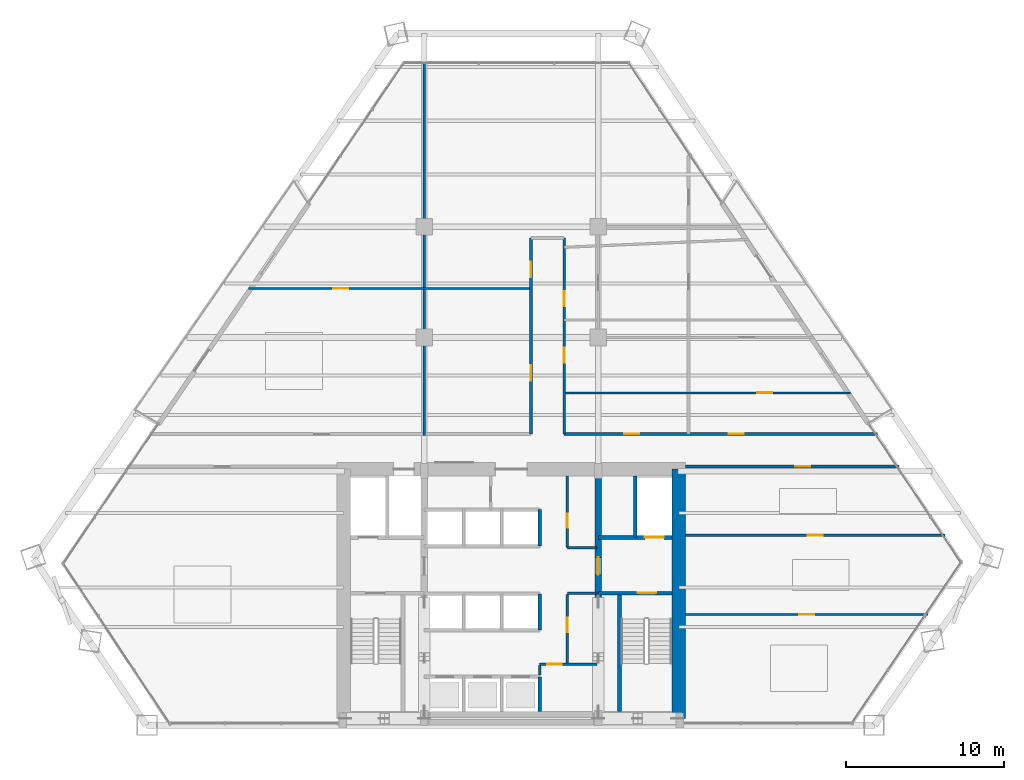
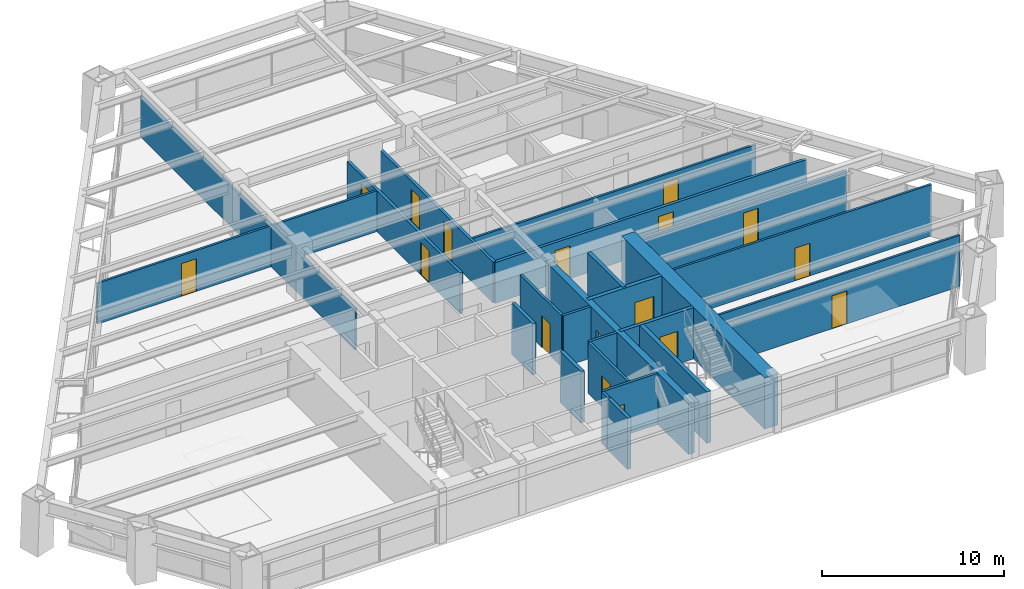
# One storey, part 11 of 15: 24 walls, 17 doors, 17 openings.
"""IFC4 building model written with IfcOpenShell, lengths in metres."""

import ifcopenshell
import ifcopenshell.guid

model = None  # the IFC model being written
_history = None  # IfcOwnerHistory: only IFC2X3 demands one
_inside = {}  # id of a spatial element -> (the spatial element, [elements in it])
_under = {}  # id of a project, library or spatial element -> (it, [spatial elements below it])
_declared = {}  # id of a project -> (the project, [libraries it declares])
_typed = {}  # id of a type object -> (the type object, [elements of that type])
_made_of = {}  # id of a material, layer set ... -> (it, [elements and type objects made of it])


def new_model(schema):
    """Start an empty IFC model of exactly this schema.

    Asked for "IFC4X3", IfcOpenShell would pick the latest addendum, in which some entities
    have other attributes; the version numbers below select the first issue.
    IFC2X3 requires an IfcOwnerHistory on every rooted entity: one is made here for all.
    """
    global model, _history
    if schema == "IFC4X3":
        model = ifcopenshell.file(schema_version=(4, 3, 0, 0))
    else:
        model = ifcopenshell.file(schema=schema)
    _inside.clear()
    _under.clear()
    _declared.clear()
    _typed.clear()
    _made_of.clear()
    _history = None
    if model.schema == "IFC2X3":
        org = make("IfcOrganization", Name="unknown")
        user = make(
            "IfcPersonAndOrganization",
            ThePerson=make("IfcPerson", FamilyName="unknown"),
            TheOrganization=org,
        )
        app = make(
            "IfcApplication",
            ApplicationDeveloper=org,
            Version="unknown",
            ApplicationFullName="unknown",
            ApplicationIdentifier="unknown",
        )
        _history = make(
            "IfcOwnerHistory",
            OwningUser=user,
            OwningApplication=app,
            ChangeAction="ADDED",
            CreationDate=0,
        )
    return model


def make(cls, **values):
    """One entity of the class cls with the attributes given. An attribute that is None is left unset."""
    return model.create_entity(
        cls, **{name: value for name, value in values.items() if value is not None}
    )


def rooted(cls, **values):
    """An entity with a GlobalId (a new one), such as an element, a storey or a relation."""
    return make(cls, GlobalId=ifcopenshell.guid.new(), OwnerHistory=_history, **values)


def si_unit(unit_type, name, prefix=None):
    """IfcSIUnit, for example si_unit("LENGTHUNIT", "METRE", prefix="MILLI")."""
    return make("IfcSIUnit", UnitType=unit_type, Prefix=prefix, Name=name)


def assignment(units):
    """IfcUnitAssignment: the units of a project."""
    return None if units is None else make("IfcUnitAssignment", Units=units)


def point(xyz):
    """IfcCartesianPoint."""
    return None if xyz is None else make("IfcCartesianPoint", Coordinates=xyz)


def direction(xyz):
    """IfcDirection."""
    return None if xyz is None else make("IfcDirection", DirectionRatios=xyz)


def frame(location, z_axis=None, x_axis=None):
    """IfcAxis2Placement3D, a coordinate frame: its origin and axes. An axis left out is left unset."""
    return make(
        "IfcAxis2Placement3D",
        Location=point(location),
        Axis=direction(z_axis),
        RefDirection=direction(x_axis),
    )


def frame_2d(location, x_axis=None):
    """IfcAxis2Placement2D, a coordinate frame in the plane: its origin and x axis."""
    return make(
        "IfcAxis2Placement2D", Location=point(location), RefDirection=direction(x_axis)
    )


def origin():
    """The frame at (0, 0, 0) with its axes left unset."""
    return frame((0.0, 0.0, 0.0))


def place(relative_to, where):
    """IfcLocalPlacement: puts the frame where relative to a parent placement (None: the world)."""
    return make(
        "IfcLocalPlacement", PlacementRelTo=relative_to, RelativePlacement=where
    )


def context(
    kind, dimensions, precision=None, world=None, true_north=None, identifier=None
):
    """IfcGeometricRepresentationContext, for example the 3D "Model" context."""
    return make(
        "IfcGeometricRepresentationContext",
        ContextIdentifier=identifier,
        ContextType=kind,
        CoordinateSpaceDimension=dimensions,
        Precision=precision,
        WorldCoordinateSystem=world,
        TrueNorth=true_north,
    )


def subcontext(parent, identifier, kind, view, scale=None):
    """IfcGeometricRepresentationSubContext, for example "Body" below "Model"."""
    return make(
        "IfcGeometricRepresentationSubContext",
        ContextIdentifier=identifier,
        ContextType=kind,
        ParentContext=parent,
        TargetScale=scale,
        TargetView=view,
    )


def project(units=None, contexts=None):
    """IfcProject with its units and contexts."""
    return rooted(
        "IfcProject",
        Name="project",
        RepresentationContexts=contexts,
        UnitsInContext=assignment(units),
    )


def spatial(cls, under=None, at=None, **own):
    """A site, building, storey or space (cls), placed at a placement, below another one or the project."""
    s = rooted(cls, ObjectPlacement=at, **own)
    if under is not None:
        _under.setdefault(under.id(), (under, []))[1].append(s)
    return s


def profile(cls, at=None, kind="AREA", **sizes):
    """A parametric profile (cls). Its sizes go by their IFC names, for example OverallWidth=200.0."""
    return make(cls, ProfileType=kind, Position=at, **sizes)


def rectangle(**sizes):
    """IfcRectangleProfileDef."""
    return profile("IfcRectangleProfileDef", **sizes)


def extrude(swept, where, along, depth):
    """IfcExtrudedAreaSolid: the profile swept, set in the frame where, extruded along a direction by depth."""
    return make(
        "IfcExtrudedAreaSolid",
        SweptArea=swept,
        Position=where,
        ExtrudedDirection=direction(along),
        Depth=depth,
    )


def shape(context_of_items, identifier, shape_type, items):
    """IfcShapeRepresentation: the items that make up one representation, for example the "Body"."""
    return make(
        "IfcShapeRepresentation",
        ContextOfItems=context_of_items,
        RepresentationIdentifier=identifier,
        RepresentationType=shape_type,
        Items=items,
    )


def source(mapping_origin, context_of_items, identifier, shape_type, items):
    """IfcRepresentationMap: a shape defined once, which mapped items show again and again."""
    return make(
        "IfcRepresentationMap",
        MappingOrigin=mapping_origin,
        MappedRepresentation=shape(context_of_items, identifier, shape_type, items),
    )


def transform(
    local_origin,
    x_axis=None,
    y_axis=None,
    z_axis=None,
    scale=None,
    scale2=None,
    scale3=None,
    uniform=True,
):
    """IfcCartesianTransformationOperator3D, or its non-uniform kind. x_axis, y_axis, z_axis: its Axis1, 2, 3."""
    if uniform:
        return make(
            "IfcCartesianTransformationOperator3D",
            Axis1=direction(x_axis),
            Axis2=direction(y_axis),
            LocalOrigin=point(local_origin),
            Scale=scale,
            Axis3=direction(z_axis),
        )
    return make(
        "IfcCartesianTransformationOperator3DnonUniform",
        Axis1=direction(x_axis),
        Axis2=direction(y_axis),
        LocalOrigin=point(local_origin),
        Scale=scale,
        Axis3=direction(z_axis),
        Scale2=scale2,
        Scale3=scale3,
    )


def mapped(mapping_source, mapping_target):
    """IfcMappedItem: shows the shape of a source again, moved by a transform."""
    return make(
        "IfcMappedItem", MappingSource=mapping_source, MappingTarget=mapping_target
    )


def material(Name=None, Category=None):
    """IfcMaterial."""
    return make("IfcMaterial", Name=Name, Category=Category)


def layer(
    of_material, thickness, ventilated=None, Name=None, Category=None, Priority=None
):
    """IfcMaterialLayer: one layer of a wall or slab, of a material (None: an air gap)."""
    return make(
        "IfcMaterialLayer",
        Material=of_material,
        LayerThickness=thickness,
        IsVentilated=ventilated,
        Name=Name,
        Category=Category,
        Priority=Priority,
    )


def layer_set(layers, Name=None):
    """IfcMaterialLayerSet."""
    return make("IfcMaterialLayerSet", MaterialLayers=layers, LayerSetName=Name)


def made_of(thing, what):
    """Note that an element or type object is made of a material, layer set ...; save() writes the relation."""
    if what is not None:
        _made_of.setdefault(what.id(), (what, []))[1].append(thing)
    return thing


def type_object(cls, material=None, **own):
    """A type object (cls), such as IfcWallType, which elements share."""
    return made_of(rooted(cls, **own), material)


def type_shapes(of_type, sources):
    """Give a type object the sources (RepresentationMaps) that its elements show as mapped items."""
    of_type.RepresentationMaps = sources


def element(
    cls,
    number,
    at=None,
    inside=None,
    cuts=None,
    type_object=None,
    material=None,
    context=None,
    identifier="Body",
    shape_type=None,
    held_by="IfcProductDefinitionShape",
    body=None,
    shapes=None,
    **own,
):
    """One element of the class cls, such as IfcWall. Its Tag is "e" and its number.

    at: its placement. inside: the storey or other place that contains it. cuts: it is an
    opening in that element (IfcRelVoidsElement). A single representation is given by context,
    identifier, shape_type and body (its items); several are given by shapes. held_by: the class
    of the entity that holds the representations. save() writes the other relations.
    """
    e = rooted(cls, Tag="e%d" % number, ObjectPlacement=at, **own)
    if body is not None:
        shapes = [shape(context, identifier, shape_type, body)]
    if shapes is not None:
        e.Representation = make(held_by, Representations=shapes)
    if inside is not None:
        _inside.setdefault(inside.id(), (inside, []))[1].append(e)
    if cuts is not None:
        rooted(
            "IfcRelVoidsElement", RelatingBuildingElement=cuts, RelatedOpeningElement=e
        )
    if type_object is not None:
        _typed.setdefault(type_object.id(), (type_object, []))[1].append(e)
    return made_of(e, material)


def fill(opening, filler):
    """IfcRelFillsElement: the door or window that sits in an opening."""
    return rooted(
        "IfcRelFillsElement",
        RelatingOpeningElement=opening,
        RelatedBuildingElement=filler,
    )


def aggregate(whole, parts):
    """IfcRelAggregates: a whole, such as a stair, and the parts it consists of."""
    return rooted("IfcRelAggregates", RelatingObject=whole, RelatedObjects=parts)


def save(model, path):
    """Write the relations noted so far, then the file.

    IfcRelAggregates (storeys below a building ...), IfcRelContainedInSpatialStructure (elements
    in a storey), IfcRelDefinesByType, IfcRelAssociatesMaterial and IfcRelDeclares: one each for
    every whole, place, type object, material and project.
    """
    for whole, parts in _under.values():
        aggregate(whole, parts)
    for where, things in _inside.values():
        rooted(
            "IfcRelContainedInSpatialStructure",
            RelatedElements=things,
            RelatingStructure=where,
        )
    for kind, things in _typed.values():
        rooted("IfcRelDefinesByType", RelatedObjects=things, RelatingType=kind)
    for what, things in _made_of.values():
        rooted("IfcRelAssociatesMaterial", RelatedObjects=things, RelatingMaterial=what)
    for by, libraries in _declared.values():
        rooted("IfcRelDeclares", RelatingContext=by, RelatedDefinitions=libraries)
    model.write(path)


model = new_model("IFC4")

# Units and contexts
model_context = context("Model", 3, precision=1e-05, world=origin(), true_north=direction((0.0, 1.0)))
body_context = subcontext(model_context, "Body", "Model", "MODEL_VIEW")
ifc_project = project(units=[si_unit("LENGTHUNIT", "METRE"), si_unit("AREAUNIT", "SQUARE_METRE"), si_unit("VOLUMEUNIT", "CUBIC_METRE"), si_unit("PLANEANGLEUNIT", "RADIAN"), si_unit("MASSUNIT", "GRAM", prefix="KILO")], contexts=[model_context])

# Site, building, storey
site_placement = place(None, origin())
site = spatial("IfcSite", under=ifc_project, at=site_placement, CompositionType="ELEMENT")
building_placement = place(site_placement, origin())
building = spatial("IfcBuilding", under=site, at=building_placement, Name="Varnakhor Terracotta Tower", CompositionType="ELEMENT")
storey_placement = place(building_placement, frame((0.0, 0.0, 57.10009765625)))
storey = spatial("IfcBuildingStorey", under=building, at=storey_placement, Name="L13", CompositionType="ELEMENT", Elevation=57.10009765625)

# Wall
ifc_material_1 = material(Name="Concrete C60/75", Category="concrete")
ifc_layer_1 = layer(ifc_material_1, 0.85009765625, Name="Concrete C60/75")
ifc_layer_set_1 = layer_set([ifc_layer_1], Name="Concrete C60/75")
wall_type_1 = type_object("IfcWallType", Name="WAL-CORE-850", PredefinedType="SHEAR", material=ifc_layer_set_1)
wall_1_placement = place(storey_placement, frame((10.574951171875, 0.425048828125, 0.0), z_axis=(0.0, 0.0, 1.0), x_axis=(0.0, 1.0, 0.0)))
element("IfcWall", 1, at=wall_1_placement, inside=storey, type_object=wall_type_1, Name="L13 East Core Shear Wall", PredefinedType="SHEAR", context=body_context, shape_type="SweptSolid", body=[
    extrude(rectangle(XDim=15.75, YDim=0.85009765625, at=frame_2d((7.875, 0.0))), origin(), (0.0, 0.0, 1.0), 3.449951171875),
])

# Wall, opening, door
ifc_material_2 = material(Name="Concrete C50/60", Category="concrete")
ifc_layer_2 = layer(ifc_material_2, 0.39990234375, Name="Concrete C50/60")
ifc_layer_set_2 = layer_set([ifc_layer_2], Name="Concrete C50/60")
wall_type_2 = type_object("IfcWallType", Name="WAL-CORE-WEB-400", PredefinedType="SHEAR", material=ifc_layer_set_2)
wall_2_placement = place(storey_placement, frame((5.5, 0.425048828125, 0.0), z_axis=(0.0, 0.0, 1.0), x_axis=(0.0, 1.0, 0.0)))
wall_2 = element("IfcWall", 2, at=wall_2_placement, inside=storey, type_object=wall_type_2, Name="L13 East Core Web Shear Wall", PredefinedType="SHEAR", context=body_context, shape_type="SweptSolid", body=[
    extrude(rectangle(XDim=15.75, YDim=0.39990234375, at=frame_2d((7.875, 0.0))), origin(), (0.0, 0.0, 1.0), 3.449951171875),
])
opening_1_placement = place(wall_2_placement, frame((9.074951171875, 0.0, 0.0)))
opening_1 = element("IfcOpeningElement", 3, at=opening_1_placement, cuts=wall_2, Name="Opening DR-25", PredefinedType="OPENING", context=body_context, shape_type="SweptSolid", body=[
    extrude(rectangle(XDim=1.10009765625, YDim=2.199951171875, at=frame_2d((0.550048828125, 1.10009765625))), frame((0.0, 0.2099609375, 0.0), z_axis=(0.0, -1.0, 0.0), x_axis=(1.0, 0.0, 0.0)), (0.0, 0.0, 1.0), 0.419921875),
])
ifc_material_3 = material(Name="Firefighting Lobby Self-Closing Fire Door", Category="steel")
door_type_1 = type_object("IfcDoorType", Name="DR-FFL-1100X2200", OperationType="NOTDEFINED", PredefinedType="DOOR", material=ifc_material_3)
shared_shape_1 = source(origin(), body_context, "Body", "SweptSolid", [
    extrude(rectangle(XDim=1.10009765625, YDim=2.199951171875, at=frame_2d((0.550048828125, 1.10009765625))), frame((0.0, 0.02490234375, 0.0), z_axis=(0.0, -1.0, 0.0), x_axis=(1.0, 0.0, 0.0)), (0.0, 0.0, 1.0), 0.050048828125),
])
type_shapes(door_type_1, [shared_shape_1])
door_1_placement = place(opening_1_placement, origin())
door_1 = element("IfcDoor", 4, at=door_1_placement, inside=storey, type_object=door_type_1, Name="L13 East Firefighting Lobby Door", OperationType="SINGLE_SWING_LEFT", OverallHeight=2.199951171875, OverallWidth=1.10009765625, PredefinedType="DOOR", context=body_context, shape_type="MappedRepresentation", body=[
    mapped(shared_shape_1, transform((0.0, 0.0, 0.0), scale=1.0)),
])
fill(opening_1, door_1)

ifc_material_4 = material(Name="Fire-Rated Gypsum Stud Partition", Category="gypsum")
ifc_layer_3 = layer(ifc_material_4, 0.18505859375, Name="Fire-Rated Gypsum Stud Partition")
ifc_layer_set_3 = layer_set([ifc_layer_3], Name="Fire-Rated Gypsum Stud Partition")
wall_type_3 = type_object("IfcWallType", Name="WAL-CORR-185", PredefinedType="PARTITIONING", material=ifc_layer_set_3)
wall_3_placement = place(storey_placement, frame((11.02001953125, 16.35009765625, 0.0), z_axis=(0.0, 0.0, 1.0), x_axis=(1.0, 0.0, 0.0)))
wall_3 = element("IfcWall", 5, at=wall_3_placement, inside=storey, type_object=wall_type_3, Name="L13 South East Corridor Wall", PredefinedType="PARTITIONING", context=body_context, shape_type="SweptSolid", body=[
    extrude(rectangle(XDim=13.50244140625, YDim=0.18505859375, at=frame_2d((6.751220703125, 0.0))), origin(), (0.0, 0.0, 1.0), 2.746826171875),
])
opening_2_placement = place(wall_3_placement, frame((6.91748046875, 0.0, 0.0)))
opening_2 = element("IfcOpeningElement", 6, at=opening_2_placement, cuts=wall_3, Name="Opening DR-94", PredefinedType="OPENING", context=body_context, shape_type="SweptSolid", body=[
    extrude(rectangle(XDim=0.949951171875, YDim=2.199951171875, at=frame_2d((0.47509765625, 1.10009765625))), frame((0.0, 0.1025390625, 0.0), z_axis=(0.0, -1.0, 0.0), x_axis=(1.0, 0.0, 0.0)), (0.0, 0.0, 1.0), 0.205078125),
])
ifc_material_5 = material(Name="Acoustic Glazed-Vision Timber Office Door", Category="wood")
door_type_2 = type_object("IfcDoorType", Name="DR-OFF-950X2200", OperationType="NOTDEFINED", PredefinedType="DOOR", material=ifc_material_5)
shared_shape_2 = source(origin(), body_context, "Body", "SweptSolid", [
    extrude(rectangle(XDim=0.949951171875, YDim=2.199951171875, at=frame_2d((0.47509765625, 1.10009765625))), frame((0.0, 0.02490234375, 0.0), z_axis=(0.0, -1.0, 0.0), x_axis=(1.0, 0.0, 0.0)), (0.0, 0.0, 1.0), 0.050048828125),
])
type_shapes(door_type_2, [shared_shape_2])
door_2_placement = place(opening_2_placement, origin())
door_2 = element("IfcDoor", 7, at=door_2_placement, inside=storey, type_object=door_type_2, Name="L13 SE Suite Door", OperationType="SINGLE_SWING_LEFT", OverallHeight=2.199951171875, OverallWidth=0.949951171875, PredefinedType="DOOR", context=body_context, shape_type="MappedRepresentation", body=[
    mapped(shared_shape_2, transform((0.0, 0.0, 0.0), scale=1.0)),
])
fill(opening_2, door_2)

# Wall, openings, doors
wall_4_placement = place(storey_placement, frame((3.35009765625, 18.39990234375, 0.0), z_axis=(0.0, 0.0, 1.0), x_axis=(1.0, 0.0, 0.0)))
wall_4 = element("IfcWall", 8, at=wall_4_placement, inside=storey, type_object=wall_type_3, Name="L13 Corridor North East Wall", PredefinedType="PARTITIONING", context=body_context, shape_type="SweptSolid", body=[
    extrude(rectangle(XDim=19.809326171875, YDim=0.18505859375, at=frame_2d((9.90478515625, 0.0))), origin(), (0.0, 0.0, 1.0), 2.746826171875),
])
opening_3_placement = place(wall_4_placement, frame((10.38623046875, 0.0, 0.0)))
opening_3 = element("IfcOpeningElement", 9, at=opening_3_placement, cuts=wall_4, Name="Opening DR-94", PredefinedType="OPENING", context=body_context, shape_type="SweptSolid", body=[
    extrude(rectangle(XDim=0.949951171875, YDim=2.199951171875, at=frame_2d((0.47509765625, 1.10009765625))), frame((0.0, 0.1025390625, 0.0), z_axis=(0.0, -1.0, 0.0), x_axis=(1.0, 0.0, 0.0)), (0.0, 0.0, 1.0), 0.205078125),
])
opening_4_placement = place(wall_4_placement, frame((3.802001953125, 0.0, 0.0)))
opening_4 = element("IfcOpeningElement", 10, at=opening_4_placement, cuts=wall_4, Name="Opening DR-94", PredefinedType="OPENING", context=body_context, shape_type="SweptSolid", body=[
    extrude(rectangle(XDim=0.949951171875, YDim=2.199951171875, at=frame_2d((0.47509765625, 1.10009765625))), frame((0.0, 0.1025390625, 0.0), z_axis=(0.0, -1.0, 0.0), x_axis=(1.0, 0.0, 0.0)), (0.0, 0.0, 1.0), 0.205078125),
])
door_3_placement = place(opening_3_placement, origin())
door_3 = element("IfcDoor", 11, at=door_3_placement, inside=storey, type_object=door_type_2, Name="L13 East Workplace Door", OperationType="SINGLE_SWING_LEFT", OverallHeight=2.199951171875, OverallWidth=0.949951171875, PredefinedType="DOOR", context=body_context, shape_type="MappedRepresentation", body=[
    mapped(shared_shape_2, transform((0.0, 0.0, 0.0), scale=1.0)),
])
fill(opening_3, door_3)
door_4_placement = place(opening_4_placement, origin())
door_4 = element("IfcDoor", 12, at=door_4_placement, inside=storey, type_object=door_type_2, Name="L13 Archive Office B7 Door", OperationType="SINGLE_SWING_LEFT", OverallHeight=2.199951171875, OverallWidth=0.949951171875, PredefinedType="DOOR", context=body_context, shape_type="MappedRepresentation", body=[
    mapped(shared_shape_2, transform((0.0, 0.0, 0.0), scale=1.0)),
])
fill(opening_4, door_4)

wall_5_placement = place(storey_placement, frame((1.25, 18.39990234375, 0.0), z_axis=(0.0, 0.0, 1.0), x_axis=(0.0, 1.0, 0.0)))
wall_5 = element("IfcWall", 13, at=wall_5_placement, inside=storey, type_object=wall_type_3, Name="L13 Spine West Wall", PredefinedType="PARTITIONING", context=body_context, shape_type="SweptSolid", body=[
    extrude(rectangle(XDim=12.400146484375, YDim=0.18505859375, at=frame_2d((6.2001953125, 0.0))), origin(), (0.0, 0.0, 1.0), 2.746826171875),
])
opening_5_placement = place(wall_5_placement, frame((3.381103515625, 0.0, 0.0)))
opening_5 = element("IfcOpeningElement", 14, at=opening_5_placement, cuts=wall_5, Name="Opening DR-94", PredefinedType="OPENING", context=body_context, shape_type="SweptSolid", body=[
    extrude(rectangle(XDim=0.949951171875, YDim=2.199951171875, at=frame_2d((0.47509765625, 1.10009765625))), frame((0.0, 0.1025390625, 0.0), z_axis=(0.0, -1.0, 0.0), x_axis=(1.0, 0.0, 0.0)), (0.0, 0.0, 1.0), 0.205078125),
])
opening_6_placement = place(wall_5_placement, frame((9.923095703125, 0.0, 0.0)))
opening_6 = element("IfcOpeningElement", 15, at=opening_6_placement, cuts=wall_5, Name="Opening DR-94", PredefinedType="OPENING", context=body_context, shape_type="SweptSolid", body=[
    extrude(rectangle(XDim=0.949951171875, YDim=2.199951171875, at=frame_2d((0.47509765625, 1.10009765625))), frame((0.0, 0.1025390625, 0.0), z_axis=(0.0, -1.0, 0.0), x_axis=(1.0, 0.0, 0.0)), (0.0, 0.0, 1.0), 0.205078125),
])
door_5_placement = place(opening_5_placement, origin())
door_5 = element("IfcDoor", 16, at=door_5_placement, inside=storey, type_object=door_type_2, Name="L13 Spine West Door", OperationType="SINGLE_SWING_RIGHT", OverallHeight=2.199951171875, OverallWidth=0.949951171875, PredefinedType="DOOR", context=body_context, shape_type="MappedRepresentation", body=[
    mapped(shared_shape_2, transform((0.0, 0.0, 0.0), scale=1.0)),
])
fill(opening_5, door_5)
door_6_placement = place(opening_6_placement, origin())
door_6 = element("IfcDoor", 17, at=door_6_placement, inside=storey, type_object=door_type_2, Name="L13 Engineering Office E2 Door", OperationType="SINGLE_SWING_RIGHT", OverallHeight=2.199951171875, OverallWidth=0.949951171875, PredefinedType="DOOR", context=body_context, shape_type="MappedRepresentation", body=[
    mapped(shared_shape_2, transform((0.0, 0.0, 0.0), scale=1.0)),
])
fill(opening_6, door_6)

wall_6_placement = place(storey_placement, frame((3.35009765625, 18.39990234375, 0.0), z_axis=(0.0, 0.0, 1.0), x_axis=(0.0, 1.0, 0.0)))
wall_6 = element("IfcWall", 18, at=wall_6_placement, inside=storey, type_object=wall_type_3, Name="L13 Spine East Wall", PredefinedType="PARTITIONING", context=body_context, shape_type="SweptSolid", body=[
    extrude(rectangle(XDim=12.400146484375, YDim=0.18505859375, at=frame_2d((6.2001953125, 0.0))), origin(), (0.0, 0.0, 1.0), 2.746826171875),
])
opening_7_placement = place(wall_6_placement, frame((8.069091796875, 0.0, 0.0)))
opening_7 = element("IfcOpeningElement", 19, at=opening_7_placement, cuts=wall_6, Name="Opening DR-94", PredefinedType="OPENING", context=body_context, shape_type="SweptSolid", body=[
    extrude(rectangle(XDim=0.949951171875, YDim=2.199951171875, at=frame_2d((0.47509765625, 1.10009765625))), frame((0.0, 0.1025390625, 0.0), z_axis=(0.0, -1.0, 0.0), x_axis=(1.0, 0.0, 0.0)), (0.0, 0.0, 1.0), 0.205078125),
])
opening_8_placement = place(wall_6_placement, frame((4.496337890625, 0.0, 0.0)))
opening_8 = element("IfcOpeningElement", 20, at=opening_8_placement, cuts=wall_6, Name="Opening DR-94", PredefinedType="OPENING", context=body_context, shape_type="SweptSolid", body=[
    extrude(rectangle(XDim=0.949951171875, YDim=2.199951171875, at=frame_2d((0.47509765625, 1.10009765625))), frame((0.0, 0.1025390625, 0.0), z_axis=(0.0, -1.0, 0.0), x_axis=(1.0, 0.0, 0.0)), (0.0, 0.0, 1.0), 0.205078125),
])
door_7_placement = place(opening_7_placement, origin())
door_7 = element("IfcDoor", 21, at=door_7_placement, inside=storey, type_object=door_type_2, Name="L13 Spine East Door", OperationType="SINGLE_SWING_LEFT", OverallHeight=2.199951171875, OverallWidth=0.949951171875, PredefinedType="DOOR", context=body_context, shape_type="MappedRepresentation", body=[
    mapped(shared_shape_2, transform((0.0, 0.0, 0.0), scale=1.0)),
])
fill(opening_7, door_7)
door_8_placement = place(opening_8_placement, origin())
door_8 = element("IfcDoor", 22, at=door_8_placement, inside=storey, type_object=door_type_2, Name="L13 Engineering Office E2 B10 Door", OperationType="SINGLE_SWING_LEFT", OverallHeight=2.199951171875, OverallWidth=0.949951171875, PredefinedType="DOOR", context=body_context, shape_type="MappedRepresentation", body=[
    mapped(shared_shape_2, transform((0.0, 0.0, 0.0), scale=1.0)),
])
fill(opening_8, door_8)

# Wall, opening, door
ifc_material_6 = material(Name="Concrete C40/50", Category="concrete")
ifc_layer_4 = layer(ifc_material_6, 0.219970703125, Name="Concrete C40/50")
ifc_layer_set_4 = layer_set([ifc_layer_4], Name="Concrete C40/50")
wall_type_4 = type_object("IfcWallType", Name="WAL-FFLOBBY-220", PredefinedType="SOLIDWALL", material=ifc_layer_set_4)
wall_7_placement = place(storey_placement, frame((10.14990234375, 8.35009765625, 0.0), z_axis=(0.0, 0.0, 1.0), x_axis=(-1.0, 0.0, 0.0)))
wall_7 = element("IfcWall", 23, at=wall_7_placement, inside=storey, type_object=wall_type_4, Name="L13 East Firefighting Lobby Stair Wall", PredefinedType="SOLIDWALL", context=body_context, shape_type="SweptSolid", body=[
    extrude(rectangle(XDim=4.64990234375, YDim=0.219970703125, at=frame_2d((2.324951171875, 0.0))), origin(), (0.0, 0.0, 1.0), 3.449951171875),
])
opening_9_placement = place(wall_7_placement, frame((1.0, 0.0, 0.0)))
opening_9 = element("IfcOpeningElement", 24, at=opening_9_placement, cuts=wall_7, Name="Opening DR-34", PredefinedType="OPENING", context=body_context, shape_type="SweptSolid", body=[
    extrude(rectangle(XDim=1.14990234375, YDim=2.199951171875, at=frame_2d((0.574951171875, 1.10009765625))), frame((0.0, 0.1201171875, 0.0), z_axis=(0.0, -1.0, 0.0), x_axis=(1.0, 0.0, 0.0)), (0.0, 0.0, 1.0), 0.239990234375),
])
ifc_material_7 = material(Name="Self-Closing Smoke-Sealed Steel Fire Door", Category="steel")
door_type_3 = type_object("IfcDoorType", Name="DR-STAIR-1150X2200", OperationType="NOTDEFINED", PredefinedType="DOOR", material=ifc_material_7)
shared_shape_3 = source(origin(), body_context, "Body", "SweptSolid", [
    extrude(rectangle(XDim=1.14990234375, YDim=2.199951171875, at=frame_2d((0.574951171875, 1.10009765625))), frame((0.0, 0.02490234375, 0.0), z_axis=(0.0, -1.0, 0.0), x_axis=(1.0, 0.0, 0.0)), (0.0, 0.0, 1.0), 0.050048828125),
])
type_shapes(door_type_3, [shared_shape_3])
door_9_placement = place(opening_9_placement, origin())
door_9 = element("IfcDoor", 25, at=door_9_placement, inside=storey, type_object=door_type_3, Name="L13 Exit Stair ST-2 Fire Door", OperationType="SINGLE_SWING_RIGHT", OverallHeight=2.199951171875, OverallWidth=1.14990234375, PredefinedType="DOOR", context=body_context, shape_type="MappedRepresentation", body=[
    mapped(shared_shape_3, transform((0.0, 0.0, 0.0), scale=1.0)),
])
fill(opening_9, door_9)

# Wall
ifc_material_8 = material(Name="Acoustic Metal-Stud Partition", Category="gypsum")
ifc_layer_5 = layer(ifc_material_8, 0.139892578125, Name="Acoustic Metal-Stud Partition")
ifc_layer_set_5 = layer_set([ifc_layer_5], Name="Acoustic Metal-Stud Partition")
wall_type_5 = type_object("IfcWallType", Name="WAL-PART-140", PredefinedType="PARTITIONING", material=ifc_layer_set_5)
wall_8_placement = place(storey_placement, frame((-5.5, 18.300048828125, 0.0), z_axis=(0.0, 0.0, 1.0), x_axis=(0.0, 1.0, 0.0)))
element("IfcWall", 26, at=wall_8_placement, inside=storey, type_object=wall_type_5, Name="L13 West Full Column Wall", PredefinedType="PARTITIONING", context=body_context, shape_type="SweptSolid", body=[
    extrude(rectangle(XDim=23.656005859375, YDim=0.139892578125, at=frame_2d((11.828125, 0.0))), origin(), (0.0, 0.0, 1.0), 2.746826171875),
])

# Wall, opening, door
wall_9_placement = place(storey_placement, frame((-16.61328125, 27.60009765625, 0.0), z_axis=(0.0, 0.0, 1.0), x_axis=(1.0, 0.0, 0.0)))
wall_9 = element("IfcWall", 27, at=wall_9_placement, inside=storey, type_object=wall_type_5, Name="L13 West Wing Cut 1", PredefinedType="PARTITIONING", context=body_context, shape_type="SweptSolid", body=[
    extrude(rectangle(XDim=17.86328125, YDim=0.139892578125, at=frame_2d((8.931640625, 0.0))), origin(), (0.0, 0.0, 1.0), 2.746826171875),
])
opening_10_placement = place(wall_9_placement, frame((5.35546875, 0.0, 0.0)))
opening_10 = element("IfcOpeningElement", 28, at=opening_10_placement, cuts=wall_9, Name="Opening DR-94", PredefinedType="OPENING", context=body_context, shape_type="SweptSolid", body=[
    extrude(rectangle(XDim=0.949951171875, YDim=2.199951171875, at=frame_2d((0.47509765625, 1.10009765625))), frame((0.0, 0.080078125, 0.0), z_axis=(0.0, -1.0, 0.0), x_axis=(1.0, 0.0, 0.0)), (0.0, 0.0, 1.0), 0.159912109375),
])
door_10_placement = place(opening_10_placement, origin())
door_10 = element("IfcDoor", 29, at=door_10_placement, inside=storey, type_object=door_type_2, Name="L13 Espresso Pantry Door", OperationType="SINGLE_SWING_LEFT", OverallHeight=2.199951171875, OverallWidth=0.949951171875, PredefinedType="DOOR", context=body_context, shape_type="MappedRepresentation", body=[
    mapped(shared_shape_2, transform((0.0, 0.0, 0.0), scale=1.0)),
])
fill(opening_10, door_10)

wall_10_placement = place(storey_placement, frame((3.35009765625, 21.0, 0.0), z_axis=(0.0, 0.0, 1.0), x_axis=(1.0, 0.0, 0.0)))
wall_10 = element("IfcWall", 30, at=wall_10_placement, inside=storey, type_object=wall_type_5, Name="L13 East Wing Cut 1", PredefinedType="PARTITIONING", context=body_context, shape_type="SweptSolid", body=[
    extrude(rectangle(XDim=18.080810546875, YDim=0.139892578125, at=frame_2d((9.04052734375, 0.0))), origin(), (0.0, 0.0, 1.0), 2.746826171875),
])
opening_11_placement = place(wall_10_placement, frame((12.205078125, 0.0, 0.0)))
opening_11 = element("IfcOpeningElement", 31, at=opening_11_placement, cuts=wall_10, Name="Opening DR-94", PredefinedType="OPENING", context=body_context, shape_type="SweptSolid", body=[
    extrude(rectangle(XDim=0.949951171875, YDim=2.199951171875, at=frame_2d((0.47509765625, 1.10009765625))), frame((0.0, 0.080078125, 0.0), z_axis=(0.0, -1.0, 0.0), x_axis=(1.0, 0.0, 0.0)), (0.0, 0.0, 1.0), 0.159912109375),
])
door_11_placement = place(opening_11_placement, origin())
door_11 = element("IfcDoor", 32, at=door_11_placement, inside=storey, type_object=door_type_2, Name="L13 Engineering Office E1 B9 Door", OperationType="SINGLE_SWING_RIGHT", OverallHeight=2.199951171875, OverallWidth=0.949951171875, PredefinedType="DOOR", context=body_context, shape_type="MappedRepresentation", body=[
    mapped(shared_shape_2, transform((0.0, 0.0, 0.0), scale=1.0)),
])
fill(opening_11, door_11)

wall_11_placement = place(storey_placement, frame((11.02001953125, 7.0, 0.0), z_axis=(0.0, 0.0, 1.0), x_axis=(1.0, 0.0, 0.0)))
wall_11 = element("IfcWall", 33, at=wall_11_placement, inside=storey, type_object=wall_type_5, Name="L13 South East Cut 1", PredefinedType="PARTITIONING", context=body_context, shape_type="SweptSolid", body=[
    extrude(rectangle(XDim=15.3115234375, YDim=0.139892578125, at=frame_2d((7.65576171875, 0.0))), origin(), (0.0, 0.0, 1.0), 3.44189453125),
])
opening_12_placement = place(wall_11_placement, frame((7.16796875, 0.0, 0.0)))
opening_12 = element("IfcOpeningElement", 34, at=opening_12_placement, cuts=wall_11, Name="Opening DR-94", PredefinedType="OPENING", context=body_context, shape_type="SweptSolid", body=[
    extrude(rectangle(XDim=0.949951171875, YDim=2.199951171875, at=frame_2d((0.47509765625, 1.10009765625))), frame((0.0, 0.080078125, 0.0), z_axis=(0.0, -1.0, 0.0), x_axis=(1.0, 0.0, 0.0)), (0.0, 0.0, 1.0), 0.159912109375),
])
door_12_placement = place(opening_12_placement, origin())
door_12 = element("IfcDoor", 35, at=door_12_placement, inside=storey, type_object=door_type_2, Name="L13 South East Conference Room Door", OperationType="SINGLE_SWING_LEFT", OverallHeight=2.199951171875, OverallWidth=0.949951171875, PredefinedType="DOOR", context=body_context, shape_type="MappedRepresentation", body=[
    mapped(shared_shape_2, transform((0.0, 0.0, 0.0), scale=1.0)),
])
fill(opening_12, door_12)

wall_12_placement = place(storey_placement, frame((11.02001953125, 12.0, 0.0), z_axis=(0.0, 0.0, 1.0), x_axis=(1.0, 0.0, 0.0)))
wall_12 = element("IfcWall", 36, at=wall_12_placement, inside=storey, type_object=wall_type_5, Name="L13 South East Cut 2", PredefinedType="PARTITIONING", context=body_context, shape_type="SweptSolid", body=[
    extrude(rectangle(XDim=16.394775390625, YDim=0.139892578125, at=frame_2d((8.197265625, 0.0))), origin(), (0.0, 0.0, 1.0), 3.44189453125),
])
opening_13_placement = place(wall_12_placement, frame((7.711181640625, 0.0, 0.0)))
opening_13 = element("IfcOpeningElement", 37, at=opening_13_placement, cuts=wall_12, Name="Opening DR-94", PredefinedType="OPENING", context=body_context, shape_type="SweptSolid", body=[
    extrude(rectangle(XDim=0.949951171875, YDim=2.199951171875, at=frame_2d((0.47509765625, 1.10009765625))), frame((0.0, 0.080078125, 0.0), z_axis=(0.0, -1.0, 0.0), x_axis=(1.0, 0.0, 0.0)), (0.0, 0.0, 1.0), 0.159912109375),
])
door_13_placement = place(opening_13_placement, origin())
door_13 = element("IfcDoor", 38, at=door_13_placement, inside=storey, type_object=door_type_2, Name="L13 Panorama Conference Room B3 Door", OperationType="SINGLE_SWING_RIGHT", OverallHeight=2.199951171875, OverallWidth=0.949951171875, PredefinedType="DOOR", context=body_context, shape_type="MappedRepresentation", body=[
    mapped(shared_shape_2, transform((0.0, 0.0, 0.0), scale=1.0)),
])
fill(opening_13, door_13)

# Walls
ifc_layer_6 = layer(ifc_material_6, 0.219970703125, Name="Concrete C40/50")
ifc_layer_set_6 = layer_set([ifc_layer_6], Name="Concrete C40/50")
wall_type_6 = type_object("IfcWallType", Name="WAL-SHAFT-220", PredefinedType="SOLIDWALL", material=ifc_layer_set_6)
wall_13_placement = place(storey_placement, frame((7.840087890625, 11.8701171875, 0.0), z_axis=(0.0, 0.0, 1.0), x_axis=(0.0, 1.0, 0.0)))
element("IfcWall", 39, at=wall_13_placement, inside=storey, type_object=wall_type_6, Name="L13 Lift FFL-2 and Riser Divider Wall", PredefinedType="SOLIDWALL", context=body_context, shape_type="SweptSolid", body=[
    extrude(rectangle(XDim=3.8798828125, YDim=0.219970703125, at=frame_2d((1.93994140625, 0.0))), origin(), (0.0, 0.0, 1.0), 3.449951171875),
])
wall_14_placement = place(storey_placement, frame((1.800048828125, 0.85009765625, 0.0), z_axis=(0.0, 0.0, 1.0), x_axis=(0.0, 1.0, 0.0)))
element("IfcWall", 40, at=wall_14_placement, inside=storey, type_object=wall_type_6, Name="L13 Bank 1 East Shaft Wall", PredefinedType="SOLIDWALL", context=body_context, shape_type="SweptSolid", body=[
    extrude(rectangle(XDim=2.199951171875, YDim=0.219970703125, at=frame_2d((1.10009765625, 0.0))), origin(), (0.0, 0.0, 1.0), 3.449951171875),
])
for number, where, z_axis, x_axis, name in (
    (41, (1.800048828125, 6.0, 0.0), (0.0, 0.0, 1.0), (0.0, 1.0, 0.0), "L13 Bank 2 East Shaft Wall"),
    (42, (1.800048828125, 11.320068359375, 0.0), (0.0, 0.0, 1.0), (0.0, 1.0, 0.0), "L13 Bank 3 East Shaft Wall"),
):
    element("IfcWall", number, at=place(storey_placement, frame(where, z_axis=z_axis, x_axis=x_axis)), inside=storey, type_object=wall_type_6, Name=name, PredefinedType="SOLIDWALL", context=body_context, shape_type="SweptSolid", body=[
        extrude(rectangle(XDim=2.300048828125, YDim=0.219970703125, at=frame_2d((1.14990234375, 0.0))), origin(), (0.0, 0.0, 1.0), 3.449951171875),
    ])
ifc_layer_7 = layer(ifc_material_6, 0.25, Name="Concrete C40/50")
ifc_layer_set_7 = layer_set([ifc_layer_7], Name="Concrete C40/50")
wall_type_7 = type_object("IfcWallType", Name="WAL-SHAFT-250", PredefinedType="SOLIDWALL", material=ifc_layer_set_7)
wall_15_placement = place(storey_placement, frame((6.85009765625, 0.85009765625, 0.0), z_axis=(0.0, 0.0, 1.0), x_axis=(0.0, 1.0, 0.0)))
element("IfcWall", 43, at=wall_15_placement, inside=storey, type_object=wall_type_7, Name="L13 Stair ST-2 Bearing Shaft Wall", PredefinedType="SOLIDWALL", context=body_context, shape_type="SweptSolid", body=[
    extrude(rectangle(XDim=7.5, YDim=0.25, at=frame_2d((3.75, 0.0))), origin(), (0.0, 0.0, 1.0), 3.449951171875),
])

# Wall, opening, door
wall_16_placement = place(storey_placement, frame((10.14990234375, 11.8701171875, 0.0), z_axis=(0.0, 0.0, 1.0), x_axis=(-1.0, 0.0, 0.0)))
wall_16 = element("IfcWall", 44, at=wall_16_placement, inside=storey, type_object=wall_type_7, Name="L13 Lift FFL-2 Shaft Front Wall", PredefinedType="SOLIDWALL", context=body_context, shape_type="SweptSolid", body=[
    extrude(rectangle(XDim=4.64990234375, YDim=0.25, at=frame_2d((2.324951171875, 0.0))), origin(), (0.0, 0.0, 1.0), 3.449951171875),
])
opening_14_placement = place(wall_16_placement, frame((0.5, 0.0, 0.0)))
opening_14 = element("IfcOpeningElement", 45, at=opening_14_placement, cuts=wall_16, Name="Opening LD-02", PredefinedType="OPENING", context=body_context, shape_type="SweptSolid", body=[
    extrude(rectangle(XDim=1.199951171875, YDim=2.25, at=frame_2d((0.60009765625, 1.125))), frame((0.0, 0.135009765625, 0.0), z_axis=(0.0, -1.0, 0.0), x_axis=(1.0, 0.0, 0.0)), (0.0, 0.0, 1.0), 0.27001953125),
])
ifc_material_9 = material(Name="Firefighting Stretcher Sliding Lift Landing Door", Category="steel")
door_type_4 = type_object("IfcDoorType", Name="LD-FFL-1200X2250", OperationType="NOTDEFINED", PredefinedType="DOOR", material=ifc_material_9)
shared_shape_4 = source(origin(), body_context, "Body", "SweptSolid", [
    extrude(rectangle(XDim=1.199951171875, YDim=2.25, at=frame_2d((0.60009765625, 1.125))), frame((0.0, 0.02490234375, 0.0), z_axis=(0.0, -1.0, 0.0), x_axis=(1.0, 0.0, 0.0)), (0.0, 0.0, 1.0), 0.050048828125),
])
type_shapes(door_type_4, [shared_shape_4])
door_14_placement = place(opening_14_placement, origin())
door_14 = element("IfcDoor", 46, at=door_14_placement, inside=storey, type_object=door_type_4, Name="L13 Firefighting Lift FFL-2 Landing Door", OperationType="SLIDING_TO_RIGHT", OverallHeight=2.25, OverallWidth=1.199951171875, PredefinedType="DOOR", context=body_context, shape_type="MappedRepresentation", body=[
    mapped(shared_shape_4, transform((0.0, 0.0, 0.0), scale=1.0)),
])
fill(opening_14, door_14)

# Wall
ifc_material_10 = material(Name="Acoustic Fire-Rated Partition", Category="gypsum")
ifc_layer_8 = layer(ifc_material_10, 0.1650390625, Name="Acoustic Fire-Rated Partition")
ifc_layer_set_8 = layer_set([ifc_layer_8], Name="Acoustic Fire-Rated Partition")
wall_type_8 = type_object("IfcWallType", Name="WAL-TENANCY-165", PredefinedType="PARTITIONING", material=ifc_layer_set_8)
wall_17_placement = place(storey_placement, frame((1.800048828125, 3.159912109375, 0.0), z_axis=(0.0, 0.0, 1.0), x_axis=(0.0, 1.0, 0.0)))
element("IfcWall", 47, at=wall_17_placement, inside=storey, type_object=wall_type_8, Name="L13 Core South West Return Wall", PredefinedType="PARTITIONING", context=body_context, shape_type="SweptSolid", body=[
    extrude(rectangle(XDim=0.607666015625, YDim=0.1650390625, at=frame_2d((0.3037109375, 0.0))), origin(), (0.0, 0.0, 1.0), 3.44189453125),
])

# Wall, opening, door
wall_18_placement = place(storey_placement, frame((3.5400390625, 3.9326171875, 0.0), z_axis=(0.0, 0.0, 1.0), x_axis=(0.0, 1.0, 0.0)))
wall_18 = element("IfcWall", 48, at=wall_18_placement, inside=storey, type_object=wall_type_8, Name="L13 Core Service Rated Wall", PredefinedType="PARTITIONING", context=body_context, shape_type="SweptSolid", body=[
    extrude(rectangle(XDim=4.324951171875, YDim=0.1650390625, at=frame_2d((2.16259765625, 0.0))), origin(), (0.0, 0.0, 1.0), 3.44189453125),
])
opening_15_placement = place(wall_18_placement, frame((1.9462890625, 0.0, 0.0)))
opening_15 = element("IfcOpeningElement", 49, at=opening_15_placement, cuts=wall_18, Name="Opening DR-67", PredefinedType="OPENING", context=body_context, shape_type="SweptSolid", body=[
    extrude(rectangle(XDim=0.89990234375, YDim=2.10009765625, at=frame_2d((0.449951171875, 1.050048828125))), frame((0.0, 0.092529296875, 0.0), z_axis=(0.0, -1.0, 0.0), x_axis=(1.0, 0.0, 0.0)), (0.0, 0.0, 1.0), 0.18505859375),
])
ifc_material_11 = material(Name="Steel Service Riser Fire Door", Category="steel")
door_type_5 = type_object("IfcDoorType", Name="DR-RISER-900X2100", OperationType="NOTDEFINED", PredefinedType="DOOR", material=ifc_material_11)
shared_shape_5 = source(origin(), body_context, "Body", "SweptSolid", [
    extrude(rectangle(XDim=0.89990234375, YDim=2.10009765625, at=frame_2d((0.449951171875, 1.050048828125))), frame((0.0, 0.02490234375, 0.0), z_axis=(0.0, -1.0, 0.0), x_axis=(1.0, 0.0, 0.0)), (0.0, 0.0, 1.0), 0.050048828125),
])
type_shapes(door_type_5, [shared_shape_5])
door_15_placement = place(opening_15_placement, origin())
door_15 = element("IfcDoor", 50, at=door_15_placement, inside=storey, type_object=door_type_5, Name="L13 Core Accessible WC Door", OperationType="SINGLE_SWING_LEFT", OverallHeight=2.10009765625, OverallWidth=0.89990234375, PredefinedType="DOOR", context=body_context, shape_type="MappedRepresentation", body=[
    mapped(shared_shape_5, transform((0.0, 0.0, 0.0), scale=1.0)),
])
fill(opening_15, door_15)

# Wall
wall_19_placement = place(storey_placement, frame((3.5400390625, 8.340087890625, 0.0), z_axis=(0.0, 0.0, 1.0), x_axis=(1.0, 0.0, 0.0)))
element("IfcWall", 51, at=wall_19_placement, inside=storey, type_object=wall_type_8, Name="L13 Accessible WC North Wall", PredefinedType="PARTITIONING", context=body_context, shape_type="SweptSolid", body=[
    extrude(rectangle(XDim=1.8798828125, YDim=0.1650390625, at=frame_2d((0.93994140625, 0.0))), origin(), (0.0, 0.0, 1.0), 3.44189453125),
])

# Wall, opening, door
wall_20_placement = place(storey_placement, frame((1.800048828125, 3.85009765625, 0.0), z_axis=(0.0, 0.0, 1.0), x_axis=(1.0, 0.0, 0.0)))
wall_20 = element("IfcWall", 52, at=wall_20_placement, inside=storey, type_object=wall_type_8, Name="L13 Core South Service Rated Wall", PredefinedType="PARTITIONING", context=body_context, shape_type="SweptSolid", body=[
    extrude(rectangle(XDim=3.619873046875, YDim=0.1650390625, at=frame_2d((1.81005859375, 0.0))), origin(), (0.0, 0.0, 1.0), 3.44189453125),
])
opening_16_placement = place(wall_20_placement, frame((0.47998046875, 0.0, 0.0)))
opening_16 = element("IfcOpeningElement", 53, at=opening_16_placement, cuts=wall_20, Name="Opening DR-67", PredefinedType="OPENING", context=body_context, shape_type="SweptSolid", body=[
    extrude(rectangle(XDim=0.89990234375, YDim=2.10009765625, at=frame_2d((0.449951171875, 1.050048828125))), frame((0.0, 0.092529296875, 0.0), z_axis=(0.0, -1.0, 0.0), x_axis=(1.0, 0.0, 0.0)), (0.0, 0.0, 1.0), 0.18505859375),
])
door_16_placement = place(opening_16_placement, origin())
door_16 = element("IfcDoor", 54, at=door_16_placement, inside=storey, type_object=door_type_5, Name="L13 Core IT Room Door", OperationType="SINGLE_SWING_RIGHT", OverallHeight=2.10009765625, OverallWidth=0.89990234375, PredefinedType="DOOR", context=body_context, shape_type="MappedRepresentation", body=[
    mapped(shared_shape_5, transform((0.0, 0.0, 0.0), scale=1.0)),
])
fill(opening_16, door_16)

wall_21_placement = place(storey_placement, frame((3.5400390625, 11.219970703125, 0.0), z_axis=(0.0, 0.0, 1.0), x_axis=(0.0, 1.0, 0.0)))
wall_21 = element("IfcWall", 55, at=wall_21_placement, inside=storey, type_object=wall_type_8, Name="L13 Restroom Corridor Wall", PredefinedType="PARTITIONING", context=body_context, shape_type="SweptSolid", body=[
    extrude(rectangle(XDim=4.530029296875, YDim=0.1650390625, at=frame_2d((2.26513671875, 0.0))), origin(), (0.0, 0.0, 1.0), 3.44189453125),
])
opening_17_placement = place(wall_21_placement, frame((1.25, 0.0, 0.0)))
opening_17 = element("IfcOpeningElement", 56, at=opening_17_placement, cuts=wall_21, Name="Opening DR-67", PredefinedType="OPENING", context=body_context, shape_type="SweptSolid", body=[
    extrude(rectangle(XDim=0.89990234375, YDim=2.10009765625, at=frame_2d((0.449951171875, 1.050048828125))), frame((0.0, 0.092529296875, 0.0), z_axis=(0.0, -1.0, 0.0), x_axis=(1.0, 0.0, 0.0)), (0.0, 0.0, 1.0), 0.18505859375),
])
door_17_placement = place(opening_17_placement, origin())
door_17 = element("IfcDoor", 57, at=door_17_placement, inside=storey, type_object=door_type_5, Name="L13 Female WC Door", OperationType="SINGLE_SWING_LEFT", OverallHeight=2.10009765625, OverallWidth=0.89990234375, PredefinedType="DOOR", context=body_context, shape_type="MappedRepresentation", body=[
    mapped(shared_shape_5, transform((0.0, 0.0, 0.0), scale=1.0)),
])
fill(opening_17, door_17)

# Wall
wall_22_placement = place(storey_placement, frame((3.5400390625, 11.219970703125, 0.0), z_axis=(0.0, 0.0, 1.0), x_axis=(1.0, 0.0, 0.0)))
element("IfcWall", 58, at=wall_22_placement, inside=storey, type_object=wall_type_8, Name="L13 Restroom South Wall", PredefinedType="PARTITIONING", context=body_context, shape_type="SweptSolid", body=[
    extrude(rectangle(XDim=1.8798828125, YDim=0.1650390625, at=frame_2d((0.93994140625, 0.0))), origin(), (0.0, 0.0, 1.0), 3.44189453125),
])

save(model, "model.ifc")
